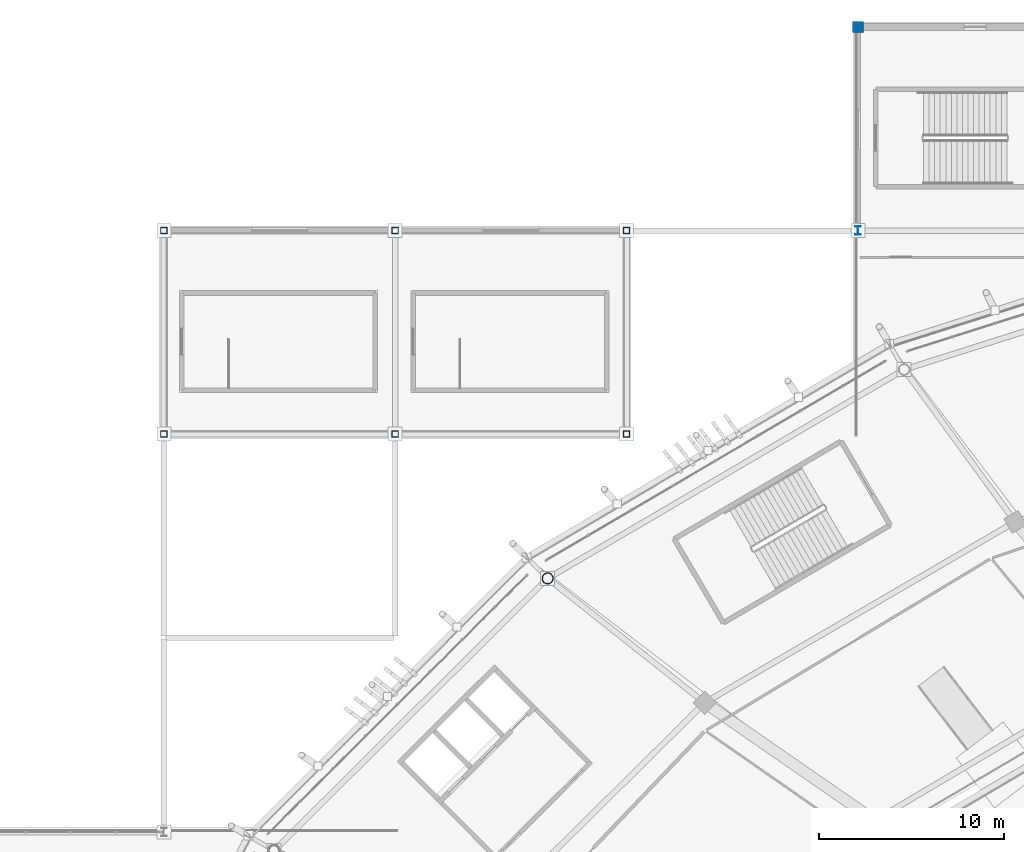
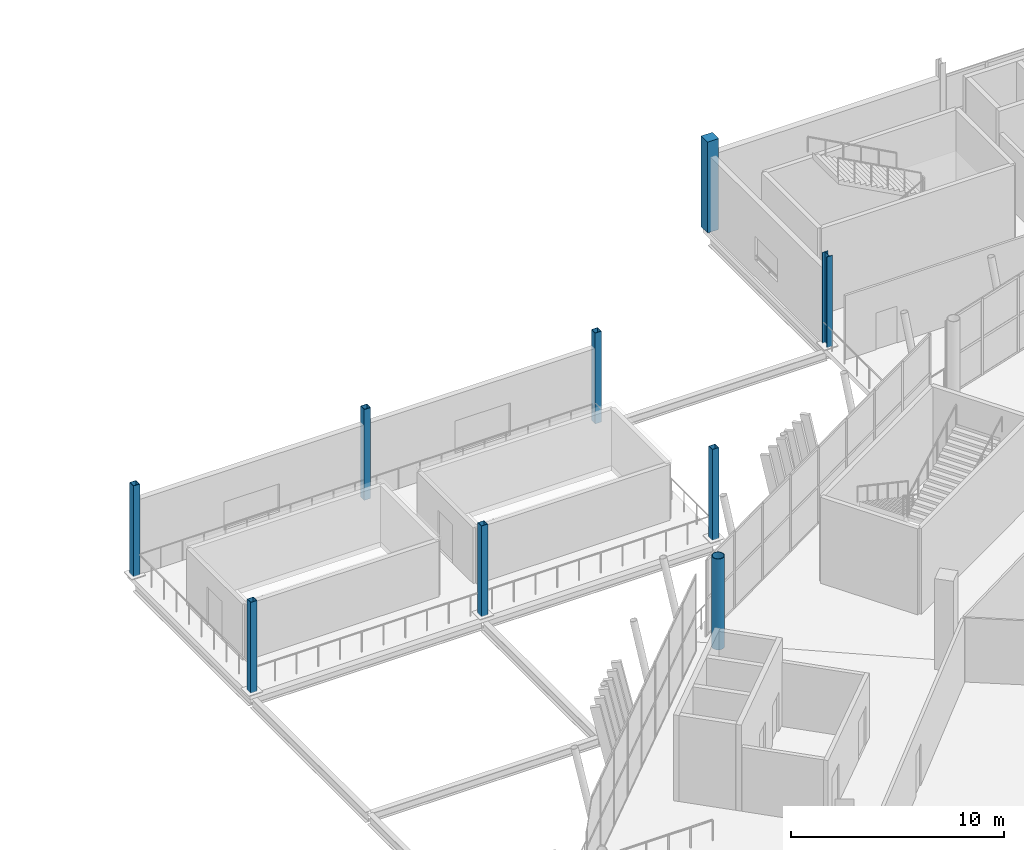
# One storey, part 17 of 178: 9 columns.
"""IFC4 building model written with IfcOpenShell, lengths in metres."""

from ifc_helpers import new_model, si_unit, direction, frame, origin, origin_2d, place, context, subcontext, project, spatial, rectangle, hollow_rectangle, hollow_circle, i_section, extrude, material, material_profile, profile_set, type_object, element, save


model = new_model("IFC4")

# Units and contexts
model_context = context("Model", 3, precision=1e-05, world=origin(), true_north=direction((0.0, 1.0)))
body_context = subcontext(model_context, "Body", "Model", "MODEL_VIEW")
ifc_project = project(units=[si_unit("LENGTHUNIT", "METRE"), si_unit("AREAUNIT", "SQUARE_METRE"), si_unit("VOLUMEUNIT", "CUBIC_METRE"), si_unit("PLANEANGLEUNIT", "RADIAN"), si_unit("MASSUNIT", "GRAM", prefix="KILO")], contexts=[model_context])

# Site, building, storey
site_placement = place(None, origin())
site = spatial("IfcSite", under=ifc_project, at=site_placement, CompositionType="ELEMENT")
building_placement = place(site_placement, origin())
building = spatial("IfcBuilding", under=site, at=building_placement, Name="Zlatoyarsky Gate Stadium", CompositionType="ELEMENT")
storey_placement = place(building_placement, frame((0.0, 0.0, 5.39990234375)))
storey = spatial("IfcBuildingStorey", under=building, at=storey_placement, Name="L01", CompositionType="ELEMENT", Elevation=5.39990234375)

# Columns
ifc_material_1 = material(Name="Concrete C40/50", Category="concrete")
ifc_material_profile_1 = material_profile(ifc_material_1, rectangle(XDim=0.60009765625, YDim=0.60009765625, at=origin_2d()), Name="RC COL 600X600")
ifc_profile_set_1 = profile_set([ifc_material_profile_1], Name="Concrete C40/50")
column_type_1 = type_object("IfcColumnType", Name="CONCRETE COLUMN 600X600", PredefinedType="COLUMN", material=ifc_profile_set_1)
column_1_placement = place(storey_placement, frame((62.0, 160.0, 0.0), z_axis=(0.0, 0.0, 1.0), x_axis=(1.0, 0.0, 0.0)))
element("IfcColumn", 1, at=column_1_placement, inside=storey, type_object=column_type_1, Name="Column RC-C60 WG-6-Q on L01", PredefinedType="COLUMN", context=body_context, shape_type="SweptSolid", body=[
    extrude(rectangle(XDim=0.60009765625, YDim=0.60009765625, at=origin_2d()), origin(), (0.0, 0.0, 1.0), 5.2001953125),
])
ifc_material_2 = material(Name="Steel S355", Category="steel")
ifc_material_profile_2 = material_profile(ifc_material_2, i_section(OverallWidth=0.300048828125, OverallDepth=0.449951171875, WebThickness=0.013916015625, FlangeThickness=0.02587890625, FilletRadius=0.027099609375, at=origin_2d()), Name="HEB 450")
ifc_profile_set_2 = profile_set([ifc_material_profile_2], Name="Steel S355")
column_type_2 = type_object("IfcColumnType", Name="STEEL COLUMN HEB 450", PredefinedType="COLUMN", material=ifc_profile_set_2)
column_2_placement = place(storey_placement, frame((62.0, 149.0, 0.0), z_axis=(0.0, 0.0, 1.0), x_axis=(1.0, 0.0, 0.0)))
element("IfcColumn", 2, at=column_2_placement, inside=storey, type_object=column_type_2, Name="Column ST-C450 WG-6-P on L01", PredefinedType="COLUMN", context=body_context, shape_type="SweptSolid", body=[
    extrude(i_section(OverallWidth=0.300048828125, OverallDepth=0.449951171875, WebThickness=0.013916015625, FlangeThickness=0.02587890625, FilletRadius=0.027099609375, at=origin_2d()), origin(), (0.0, 0.0, 1.0), 5.2001953125),
])
ifc_material_profile_3 = material_profile(ifc_material_2, hollow_rectangle(XDim=0.35009765625, YDim=0.35009765625, WallThickness=0.02001953125, at=origin_2d()), Name="SHS 350X350X20")
ifc_profile_set_3 = profile_set([ifc_material_profile_3], Name="Steel S355")
column_type_3 = type_object("IfcColumnType", Name="STEEL SQUARE COLUMN SHS 350X350X20", PredefinedType="COLUMN", material=ifc_profile_set_3)
for number, where, z_axis, x_axis, name in (
    (3, (24.5, 138.0, 0.0), (0.0, 0.0, 1.0), (1.0, 0.0, 0.0), "Column ST-CS350 WG-3-N on L01"),
    (4, (24.5, 149.0, 0.0), (0.0, 0.0, 1.0), (1.0, 0.0, 0.0), "Column ST-CS350 WG-3-P on L01"),
    (5, (37.0, 138.0, 0.0), (0.0, 0.0, 1.0), (1.0, 0.0, 0.0), "Column ST-CS350 WG-4-N on L01"),
    (6, (37.0, 149.0, 0.0), (0.0, 0.0, 1.0), (1.0, 0.0, 0.0), "Column ST-CS350 WG-4-P on L01"),
    (7, (49.5, 138.0, 0.0), (0.0, 0.0, 1.0), (1.0, 0.0, 0.0), "Column ST-CS350 WG-5-N on L01"),
    (8, (49.5, 149.0, 0.0), (0.0, 0.0, 1.0), (1.0, 0.0, 0.0), "Column ST-CS350 WG-5-P on L01"),
):
    element("IfcColumn", number, at=place(storey_placement, frame(where, z_axis=z_axis, x_axis=x_axis)), inside=storey, type_object=column_type_3, Name=name, PredefinedType="COLUMN", context=body_context, shape_type="SweptSolid", body=[
        extrude(hollow_rectangle(XDim=0.35009765625, YDim=0.35009765625, WallThickness=0.02001953125, at=origin_2d()), origin(), (0.0, 0.0, 1.0), 5.2001953125),
    ])
ifc_material_profile_4 = material_profile(ifc_material_2, hollow_circle(Radius=0.304931640625, WallThickness=0.030029296875, at=origin_2d()), Name="CHS 610X30")
ifc_profile_set_4 = profile_set([ifc_material_profile_4], Name="Steel S355")
column_type_4 = type_object("IfcColumnType", Name="STEEL TUBULAR COLUMN CHS 610X30", PredefinedType="COLUMN", material=ifc_profile_set_4)
column_3_placement = place(storey_placement, frame((45.239013671875, 130.20458984375, 0.0), z_axis=(0.0, 0.0, 1.0), x_axis=(-0.707106781187, 0.707106781187, 0.0)))
element("IfcColumn", 9, at=column_3_placement, inside=storey, type_object=column_type_4, Name="Column ST-C610 RC-09 on L01", PredefinedType="COLUMN", context=body_context, shape_type="SweptSolid", body=[
    extrude(hollow_circle(Radius=0.304931640625, WallThickness=0.030029296875, at=origin_2d()), origin(), (0.0, 0.0, 1.0), 5.2001953125),
])

save(model, "model.ifc")
